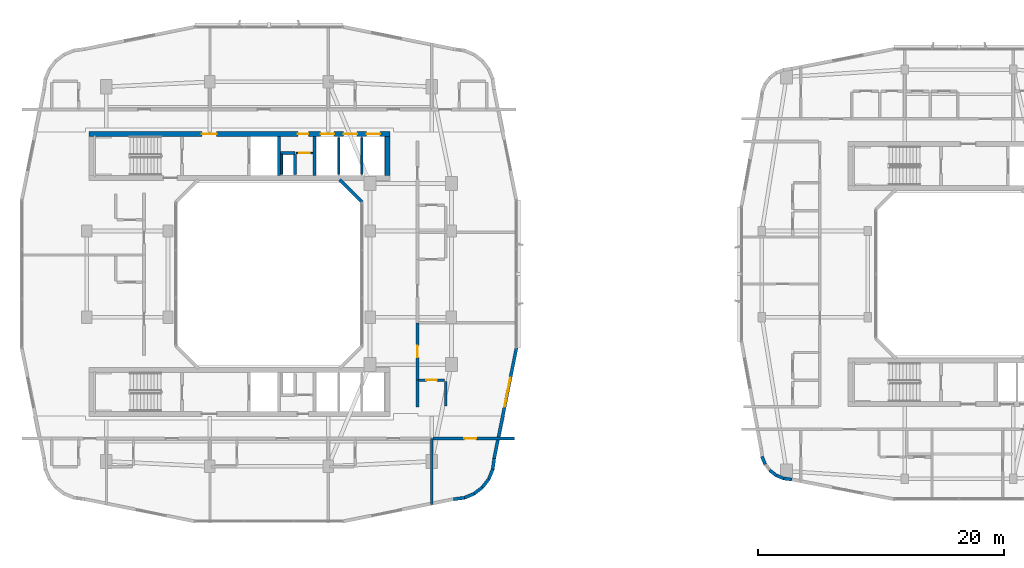
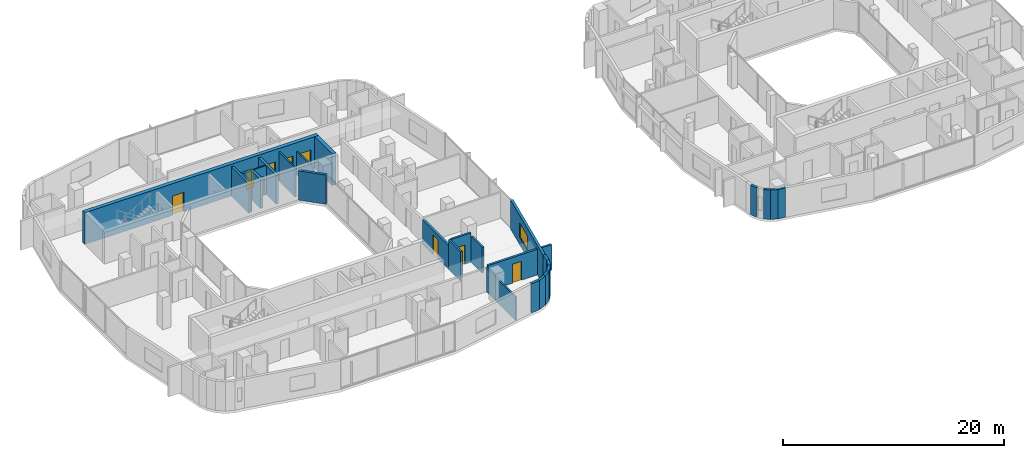
# One storey, part 14 of 26: 28 walls, 9 doors, 1 window, 10 openings.
"""IFC4 building model written with IfcOpenShell, lengths in metres."""

from ifc_helpers import new_model, si_unit, derived_unit, direction, frame, frame_2d, origin, place, context, subcontext, project, spatial, rectangle, extrude, material, layer, layer_set, type_object, element, fill, save


model = new_model("IFC4")

# Units and contexts
model_context = context("Model", 3, precision=1e-05, world=origin(), true_north=direction((0.0, 1.0)))
body_context = subcontext(model_context, "Body", "Model", "MODEL_VIEW")
ifc_project = project(units=[si_unit("LENGTHUNIT", "METRE"), si_unit("AREAUNIT", "SQUARE_METRE"), si_unit("VOLUMEUNIT", "CUBIC_METRE"), si_unit("PLANEANGLEUNIT", "RADIAN"), si_unit("MASSUNIT", "GRAM", prefix="KILO"), derived_unit("THERMALTRANSMITTANCEUNIT", [(si_unit("POWERUNIT", "WATT"), 1), (si_unit("LENGTHUNIT", "METRE"), -2), (si_unit("THERMODYNAMICTEMPERATUREUNIT", "KELVIN"), -1)])], contexts=[model_context])

# Site, building, storey
site_placement = place(None, origin())
site = spatial("IfcSite", under=ifc_project, at=site_placement, CompositionType="ELEMENT")
building_placement = place(site_placement, origin())
building = spatial("IfcBuilding", under=site, at=building_placement, Name="Kivonza Crest Hotel", CompositionType="ELEMENT")
storey_placement = place(building_placement, frame((0.0, 0.0, 105.5)))
storey = spatial("IfcBuildingStorey", under=building, at=storey_placement, Name="L28", CompositionType="ELEMENT", Elevation=105.5)

# Wall
ifc_material_1 = material(Name="High-density acoustic masonry inter-tenancy wall", Category="masonry")
ifc_layer_1 = layer(ifc_material_1, 0.179931640625)
ifc_layer_set_1 = layer_set([ifc_layer_1], Name="High-density acoustic masonry inter-tenancy wall")
wall_type_1 = type_object("IfcWallType", Name="WL-ACOU-180", PredefinedType="SOLIDWALL", material=ifc_layer_set_1)
wall_1_placement = place(storey_placement, frame((34.199951171875, 6.299072265625, 0.0), z_axis=(0.0, 0.0, 1.0), x_axis=(0.0, 1.0, 0.0)))
element("IfcWall", 1, at=wall_1_placement, inside=storey, type_object=wall_type_1, Name="L28 interior partition WA-L28-T1S-DIV4", PredefinedType="SOLIDWALL", context=body_context, shape_type="SweptSolid", body=[
    extrude(rectangle(XDim=5.350830078125, YDim=0.179931640625, at=frame_2d((2.67529296875, 0.0))), origin(), (0.0, 0.0, 1.0), 2.594970703125),
])

# Wall, opening, door
ifc_material_2 = material(Name="Autoclaved aerated concrete blockwork", Category="masonry")
ifc_layer_2 = layer(ifc_material_2, 0.219970703125)
ifc_layer_set_2 = layer_set([ifc_layer_2], Name="Autoclaved aerated concrete blockwork")
wall_type_2 = type_object("IfcWallType", Name="WL-ACOU-220", PredefinedType="SOLIDWALL", material=ifc_layer_set_2)
wall_2_placement = place(storey_placement, frame((34.300048828125, 11.64990234375, 0.0), z_axis=(0.0, 0.0, 1.0), x_axis=(1.0, 0.0, 0.0)))
wall_2 = element("IfcWall", 2, at=wall_2_placement, inside=storey, type_object=wall_type_2, Name="L28 interior partition WA-L28-BUS-MTG-N", PredefinedType="SOLIDWALL", context=body_context, shape_type="SweptSolid", body=[
    extrude(rectangle(XDim=6.639892578125, YDim=0.219970703125, at=frame_2d((3.31982421875, 0.0))), origin(), (0.0, 0.0, 1.0), 2.8349609375),
])
opening_1_placement = place(wall_2_placement, frame((2.550048828125, 0.0, 0.0)))
opening_1 = element("IfcOpeningElement", 3, at=opening_1_placement, cuts=wall_2, Name="Opening DF-60S", PredefinedType="OPENING", context=body_context, shape_type="SweptSolid", body=[
    extrude(rectangle(XDim=0.949951171875, YDim=2.10009765625, at=frame_2d((0.47509765625, 1.050048828125))), frame((0.0, 0.1201171875, 0.0), z_axis=(0.0, -1.0, 0.0), x_axis=(1.0, 0.0, 0.0)), (0.0, 0.0, 1.0), 0.239990234375),
])
ifc_material_3 = material(Name="Hardwood timber oak", Category="wood")
door_type_1 = type_object("IfcDoorType", Name="DR-FD60-950", OperationType="NOTDEFINED", PredefinedType="DOOR", material=ifc_material_3)
door_1_placement = place(opening_1_placement, frame((0.949951171875, 0.0, 0.0), z_axis=(0.0, 0.0, 1.0), x_axis=(-1.0, 0.0, 0.0)))
door_1 = element("IfcDoor", 4, at=door_1_placement, inside=storey, type_object=door_type_1, Name="L28 Floor Beverage Kitchen door", OperationType="SINGLE_SWING_RIGHT", OverallHeight=2.10009765625, OverallWidth=0.949951171875, PredefinedType="DOOR", context=body_context, shape_type="SweptSolid", body=[
    extrude(rectangle(XDim=0.949951171875, YDim=2.10009765625, at=frame_2d((0.47509765625, 1.050048828125))), frame((0.0, 0.02490234375, 0.0), z_axis=(0.0, -1.0, 0.0), x_axis=(1.0, 0.0, 0.0)), (0.0, 0.0, 1.0), 0.050048828125),
])
fill(opening_1, door_1)

# Wall
wall_3_placement = place(storey_placement, frame((33.050048828125, 14.199951171875, 0.0), z_axis=(0.0, 0.0, 1.0), x_axis=(0.0, 1.0, 0.0)))
element("IfcWall", 5, at=wall_3_placement, inside=storey, type_object=wall_type_2, Name="L28 interior partition WA-L28-E10-BCORR", PredefinedType="SOLIDWALL", context=body_context, shape_type="SweptSolid", body=[
    extrude(rectangle(XDim=2.199951171875, YDim=0.219970703125, at=frame_2d((1.10009765625, 0.0))), origin(), (0.0, 0.0, 1.0), 3.219970703125),
])

# Wall, opening, door
wall_4_placement = place(storey_placement, frame((33.050048828125, 16.39990234375, 0.0), z_axis=(0.0, 0.0, 1.0), x_axis=(0.0, 1.0, 0.0)))
wall_4 = element("IfcWall", 6, at=wall_4_placement, inside=storey, type_object=wall_type_2, Name="L28 interior partition WA-L28-E10-MCORR", PredefinedType="SOLIDWALL", context=body_context, shape_type="SweptSolid", body=[
    extrude(rectangle(XDim=4.649169921875, YDim=0.219970703125, at=frame_2d((2.32470703125, 0.0))), origin(), (0.0, 0.0, 1.0), 2.594970703125),
])
opening_2_placement = place(wall_4_placement, frame((1.85009765625, 0.0, 0.0)))
opening_2 = element("IfcOpeningElement", 7, at=opening_2_placement, cuts=wall_4, Name="Opening DU-60", PredefinedType="OPENING", context=body_context, shape_type="SweptSolid", body=[
    extrude(rectangle(XDim=0.949951171875, YDim=2.10009765625, at=frame_2d((0.47509765625, 1.050048828125))), frame((0.0, 0.1201171875, 0.0), z_axis=(0.0, -1.0, 0.0), x_axis=(1.0, 0.0, 0.0)), (0.0, 0.0, 1.0), 0.239990234375),
])
door_type_2 = type_object("IfcDoorType", Name="DR-UNIT-950", OperationType="NOTDEFINED", PredefinedType="DOOR", material=ifc_material_3)
door_2_placement = place(opening_2_placement, frame((0.949951171875, 0.0, 0.0), z_axis=(0.0, 0.0, 1.0), x_axis=(-1.0, 0.0, 0.0)))
door_2 = element("IfcDoor", 8, at=door_2_placement, inside=storey, type_object=door_type_2, Name="L28 E10 guest unit entrance fire door", OperationType="SINGLE_SWING_RIGHT", OverallHeight=2.10009765625, OverallWidth=0.949951171875, PredefinedType="DOOR", context=body_context, shape_type="SweptSolid", body=[
    extrude(rectangle(XDim=0.949951171875, YDim=2.10009765625, at=frame_2d((0.47509765625, 1.050048828125))), frame((0.0, 0.02490234375, 0.0), z_axis=(0.0, -1.0, 0.0), x_axis=(1.0, 0.0, 0.0)), (0.0, 0.0, 1.0), 0.050048828125),
])
fill(opening_2, door_2)

# Wall, openings, doors
ifc_material_4 = material(Name="Concrete C50/60", Category="concrete")
ifc_layer_3 = layer(ifc_material_4, 0.39990234375)
ifc_layer_set_3 = layer_set([ifc_layer_3], Name="Concrete C50/60")
wall_type_3 = type_object("IfcWallType", Name="WL-CORE-400", PredefinedType="SHEAR", material=ifc_layer_set_3)
wall_5_placement = place(storey_placement, frame((6.39990234375, 36.360107421875, 0.0), z_axis=(0.0, 0.0, 1.0), x_axis=(1.0, 0.0, 0.0)))
wall_5 = element("IfcWall", 9, at=wall_5_placement, inside=storey, type_object=wall_type_3, Name="Core wall T1-N North L28", PredefinedType="SHEAR", context=body_context, shape_type="SweptSolid", body=[
    extrude(rectangle(XDim=24.400146484375, YDim=0.39990234375, at=frame_2d((12.2001953125, 0.0))), origin(), (0.0, 0.0, 1.0), 3.5),
])
opening_3_placement = place(wall_5_placement, frame((9.14990234375, 0.0, 0.0)))
opening_3 = element("IfcOpeningElement", 10, at=opening_3_placement, cuts=wall_5, Name="Opening DF-60", PredefinedType="OPENING", context=body_context, shape_type="SweptSolid", body=[
    extrude(rectangle(XDim=1.199951171875, YDim=2.14990234375, at=frame_2d((0.60009765625, 1.074951171875))), frame((0.0, 0.2099609375, 0.0), z_axis=(0.0, -1.0, 0.0), x_axis=(1.0, 0.0, 0.0)), (0.0, 0.0, 1.0), 0.419921875),
])
opening_4_placement = place(wall_5_placement, frame((16.93994140625, 0.0, 0.0)))
opening_4 = element("IfcOpeningElement", 11, at=opening_4_placement, cuts=wall_5, Name="Opening DF-60R", PredefinedType="OPENING", context=body_context, shape_type="SweptSolid", body=[
    extrude(rectangle(XDim=0.85009765625, YDim=2.10009765625, at=frame_2d((0.425048828125, 1.050048828125))), frame((0.0, 0.2099609375, 0.0), z_axis=(0.0, -1.0, 0.0), x_axis=(1.0, 0.0, 0.0)), (0.0, 0.0, 1.0), 0.419921875),
])
opening_5_placement = place(wall_5_placement, frame((18.782958984375, 0.0, 0.0)))
opening_5 = element("IfcOpeningElement", 12, at=opening_5_placement, cuts=wall_5, Name="Opening LD-120", PredefinedType="OPENING", context=body_context, shape_type="SweptSolid", body=[
    extrude(rectangle(XDim=1.10009765625, YDim=2.14990234375, at=frame_2d((0.550048828125, 1.074951171875))), frame((0.0, 0.2099609375, 0.0), z_axis=(0.0, -1.0, 0.0), x_axis=(1.0, 0.0, 0.0)), (0.0, 0.0, 1.0), 0.419921875),
])
opening_6_placement = place(wall_5_placement, frame((20.64990234375, 0.0, 0.0)))
opening_6 = element("IfcOpeningElement", 13, at=opening_6_placement, cuts=wall_5, Name="Opening LD-120", PredefinedType="OPENING", context=body_context, shape_type="SweptSolid", body=[
    extrude(rectangle(XDim=1.10009765625, YDim=2.14990234375, at=frame_2d((0.550048828125, 1.074951171875))), frame((0.0, 0.2099609375, 0.0), z_axis=(0.0, -1.0, 0.0), x_axis=(1.0, 0.0, 0.0)), (0.0, 0.0, 1.0), 0.419921875),
])
opening_7_placement = place(wall_5_placement, frame((22.51708984375, 0.0, 0.0)))
opening_7 = element("IfcOpeningElement", 14, at=opening_7_placement, cuts=wall_5, Name="Opening LD-120", PredefinedType="OPENING", context=body_context, shape_type="SweptSolid", body=[
    extrude(rectangle(XDim=1.10009765625, YDim=2.14990234375, at=frame_2d((0.550048828125, 1.074951171875))), frame((0.0, 0.2099609375, 0.0), z_axis=(0.0, -1.0, 0.0), x_axis=(1.0, 0.0, 0.0)), (0.0, 0.0, 1.0), 0.419921875),
])
door_type_3 = type_object("IfcDoorType", Name="DR-FD60-1200", OperationType="NOTDEFINED", PredefinedType="DOOR", material=ifc_material_3)
door_3_placement = place(opening_3_placement, origin())
door_3 = element("IfcDoor", 15, at=door_3_placement, inside=storey, type_object=door_type_3, Name="L28 T1-N firefighting lobby fire door", OperationType="SINGLE_SWING_RIGHT", OverallHeight=2.14990234375, OverallWidth=1.199951171875, PredefinedType="DOOR", context=body_context, shape_type="SweptSolid", body=[
    extrude(rectangle(XDim=1.199951171875, YDim=2.14990234375, at=frame_2d((0.60009765625, 1.074951171875))), frame((0.0, 0.02490234375, 0.0), z_axis=(0.0, -1.0, 0.0), x_axis=(1.0, 0.0, 0.0)), (0.0, 0.0, 1.0), 0.050048828125),
])
fill(opening_3, door_3)
door_type_4 = type_object("IfcDoorType", Name="DR-FD60-850", OperationType="NOTDEFINED", PredefinedType="DOOR", material=ifc_material_3)
door_4_placement = place(opening_4_placement, origin())
door_4 = element("IfcDoor", 16, at=door_4_placement, inside=storey, type_object=door_type_4, Name="L28 T1-N core room door", OperationType="SINGLE_SWING_RIGHT", OverallHeight=2.10009765625, OverallWidth=0.85009765625, PredefinedType="DOOR", context=body_context, shape_type="SweptSolid", body=[
    extrude(rectangle(XDim=0.85009765625, YDim=2.10009765625, at=frame_2d((0.425048828125, 1.050048828125))), frame((0.0, 0.02490234375, 0.0), z_axis=(0.0, -1.0, 0.0), x_axis=(1.0, 0.0, 0.0)), (0.0, 0.0, 1.0), 0.050048828125),
])
fill(opening_4, door_4)
ifc_material_5 = material(Name="Stainless steel", Category="steel")
door_type_5 = type_object("IfcDoorType", Name="DR-LD120-1100", OperationType="NOTDEFINED", PredefinedType="DOOR", material=ifc_material_5)
door_5_placement = place(opening_5_placement, origin())
door_5 = element("IfcDoor", 17, at=door_5_placement, inside=storey, type_object=door_type_5, Name="L28 PL-T1-L1 passenger lift sliding landing door", OperationType="DOUBLE_DOOR_SLIDING", OverallHeight=2.14990234375, OverallWidth=1.10009765625, PredefinedType="DOOR", context=body_context, shape_type="SweptSolid", body=[
    extrude(rectangle(XDim=1.10009765625, YDim=2.14990234375, at=frame_2d((0.550048828125, 1.074951171875))), frame((0.0, 0.02490234375, 0.0), z_axis=(0.0, -1.0, 0.0), x_axis=(1.0, 0.0, 0.0)), (0.0, 0.0, 1.0), 0.050048828125),
])
fill(opening_5, door_5)
door_6_placement = place(opening_6_placement, origin())
door_6 = element("IfcDoor", 18, at=door_6_placement, inside=storey, type_object=door_type_5, Name="L28 PL-T1-L2 passenger lift sliding landing door", OperationType="DOUBLE_DOOR_SLIDING", OverallHeight=2.14990234375, OverallWidth=1.10009765625, PredefinedType="DOOR", context=body_context, shape_type="SweptSolid", body=[
    extrude(rectangle(XDim=1.10009765625, YDim=2.14990234375, at=frame_2d((0.550048828125, 1.074951171875))), frame((0.0, 0.02490234375, 0.0), z_axis=(0.0, -1.0, 0.0), x_axis=(1.0, 0.0, 0.0)), (0.0, 0.0, 1.0), 0.050048828125),
])
fill(opening_6, door_6)
door_7_placement = place(opening_7_placement, origin())
door_7 = element("IfcDoor", 19, at=door_7_placement, inside=storey, type_object=door_type_5, Name="L28 PL-T1-L3 passenger lift sliding landing door", OperationType="DOUBLE_DOOR_SLIDING", OverallHeight=2.14990234375, OverallWidth=1.10009765625, PredefinedType="DOOR", context=body_context, shape_type="SweptSolid", body=[
    extrude(rectangle(XDim=1.10009765625, YDim=2.14990234375, at=frame_2d((0.550048828125, 1.074951171875))), frame((0.0, 0.02490234375, 0.0), z_axis=(0.0, -1.0, 0.0), x_axis=(1.0, 0.0, 0.0)), (0.0, 0.0, 1.0), 0.050048828125),
])
fill(opening_7, door_7)

# Walls
wall_6_placement = place(storey_placement, frame((30.60009765625, 33.0, 0.0), z_axis=(0.0, 0.0, 1.0), x_axis=(0.0, 1.0, 0.0)))
element("IfcWall", 20, at=wall_6_placement, inside=storey, type_object=wall_type_3, Name="Core wall T1-N East L28", PredefinedType="SHEAR", context=body_context, shape_type="SweptSolid", body=[
    extrude(rectangle(XDim=3.159912109375, YDim=0.39990234375, at=frame_2d((1.580078125, 0.0))), origin(), (0.0, 0.0, 1.0), 3.5),
])
ifc_material_6 = material(Name="Precast concrete C40/50", Category="concrete")
ifc_layer_4 = layer(ifc_material_6, 0.260009765625)
ifc_layer_set_4 = layer_set([ifc_layer_4], Name="Precast concrete C40/50")
wall_type_4 = type_object("IfcWallType", Name="WL-EXT-260", PredefinedType="STANDARD", material=ifc_layer_set_4)
wall_7_placement = place(storey_placement, frame((35.97509765625, 6.72802734375, 0.0), z_axis=(0.0, 0.0, 1.0), x_axis=(0.991388484223, 0.130953706898, 0.0)))
element("IfcWall", 21, at=wall_7_placement, inside=storey, type_object=wall_type_4, Name="L28 T1 exterior insulated wall 10", PredefinedType="STANDARD", context=body_context, shape_type="SweptSolid", body=[
    extrude(rectangle(XDim=0.885498046875, YDim=0.260009765625, at=frame_2d((0.44287109375, 0.0))), origin(), (0.0, 0.0, 1.0), 3.219970703125),
])
wall_8_placement = place(storey_placement, frame((36.806884765625, 6.825927734375, 0.0), z_axis=(0.0, 0.0, 1.0), x_axis=(0.923627776508, 0.383290660547, 0.0)))
element("IfcWall", 22, at=wall_8_placement, inside=storey, type_object=wall_type_4, Name="L28 T1 exterior insulated wall 11", PredefinedType="STANDARD", context=body_context, shape_type="SweptSolid", body=[
    extrude(rectangle(XDim=0.9033203125, YDim=0.260009765625, at=frame_2d((0.45166015625, 0.0))), origin(), (0.0, 0.0, 1.0), 3.219970703125),
])
wall_9_placement = place(storey_placement, frame((37.60107421875, 7.14404296875, 0.0), z_axis=(0.0, 0.0, 1.0), x_axis=(0.793458244748, 0.608624690463, 0.0)))
element("IfcWall", 23, at=wall_9_placement, inside=storey, type_object=wall_type_4, Name="L28 T1 exterior insulated wall 12", PredefinedType="STANDARD", context=body_context, shape_type="SweptSolid", body=[
    extrude(rectangle(XDim=0.902099609375, YDim=0.260009765625, at=frame_2d((0.451171875, 0.0))), origin(), (0.0, 0.0, 1.0), 3.219970703125),
])
wall_10_placement = place(storey_placement, frame((38.285888671875, 7.655029296875, 0.0), z_axis=(0.0, 0.0, 1.0), x_axis=(0.608494022858, 0.793558456666, 0.0)))
element("IfcWall", 24, at=wall_10_placement, inside=storey, type_object=wall_type_4, Name="L28 T1 exterior insulated wall 13", PredefinedType="STANDARD", context=body_context, shape_type="SweptSolid", body=[
    extrude(rectangle(XDim=0.90234375, YDim=0.260009765625, at=frame_2d((0.451171875, 0.0))), origin(), (0.0, 0.0, 1.0), 3.219970703125),
])
wall_11_placement = place(storey_placement, frame((38.81396484375, 8.326904296875, 0.0), z_axis=(0.0, 0.0, 1.0), x_axis=(0.383155708213, 0.923683767999, 0.0)))
element("IfcWall", 25, at=wall_11_placement, inside=storey, type_object=wall_type_4, Name="L28 T1 exterior insulated wall 14", PredefinedType="STANDARD", context=body_context, shape_type="SweptSolid", body=[
    extrude(rectangle(XDim=0.90283203125, YDim=0.260009765625, at=frame_2d((0.451416015625, 0.0))), origin(), (0.0, 0.0, 1.0), 3.219970703125),
])
wall_12_placement = place(storey_placement, frame((39.152099609375, 9.112060546875, 0.0), z_axis=(0.0, 0.0, 1.0), x_axis=(0.130200706103, 0.991487658083, 0.0)))
element("IfcWall", 26, at=wall_12_placement, inside=storey, type_object=wall_type_4, Name="L28 T1 exterior insulated wall 15", PredefinedType="STANDARD", context=body_context, shape_type="SweptSolid", body=[
    extrude(rectangle(XDim=0.920654296875, YDim=0.260009765625, at=frame_2d((0.46044921875, 0.0))), origin(), (0.0, 0.0, 1.0), 3.219970703125),
])

# Wall, opening, window
wall_13_placement = place(storey_placement, frame((39.27099609375, 10.01806640625, 0.0), z_axis=(0.0, 0.0, 1.0), x_axis=(0.197435082048, 0.980315963543, 0.0)))
wall_13 = element("IfcWall", 27, at=wall_13_placement, inside=storey, type_object=wall_type_4, Name="L28 T1 exterior insulated wall 16", PredefinedType="STANDARD", context=body_context, shape_type="SweptSolid", body=[
    extrude(rectangle(XDim=9.1826171875, YDim=0.260009765625, at=frame_2d((4.59130859375, 0.0))), origin(), (0.0, 0.0, 1.0), 3.219970703125),
])
opening_8_placement = place(wall_13_placement, frame((4.285888671875, 0.0, 0.800048828125)))
opening_8 = element("IfcOpeningElement", 28, at=opening_8_placement, cuts=wall_13, Name="Opening WN-05", PredefinedType="OPENING", context=body_context, shape_type="SweptSolid", body=[
    extrude(rectangle(XDim=2.39990234375, YDim=1.60009765625, at=frame_2d((1.199951171875, 0.800048828125))), frame((0.0, 0.14013671875, 0.0), z_axis=(0.0, -1.0, 0.0), x_axis=(1.0, 0.0, 0.0)), (0.0, 0.0, 1.0), 0.280029296875),
])
ifc_material_7 = material(Name="Thermally broken bronze aluminium and low-E double glazing", Category="aluminium")
window_type = type_object("IfcWindowType", Name="WN-240x160", PartitioningType="TRIPLE_PANEL_VERTICAL", PredefinedType="WINDOW", material=ifc_material_7)
window_placement = place(opening_8_placement, origin())
window = element("IfcWindow", 29, at=window_placement, inside=storey, type_object=window_type, Name="L28 T1 facade window 16", OverallHeight=1.60009765625, OverallWidth=2.39990234375, PartitioningType="SINGLE_PANEL", PredefinedType="WINDOW", context=body_context, shape_type="SweptSolid", body=[
    extrude(rectangle(XDim=2.39990234375, YDim=1.60009765625, at=frame_2d((1.199951171875, 0.800048828125))), frame((0.0, 0.030029296875, 0.0), z_axis=(0.0, -1.0, 0.0), x_axis=(1.0, 0.0, 0.0)), (0.0, 0.0, 1.0), 0.06005859375),
])
fill(opening_8, window)

# Walls
wall_14_placement = place(storey_placement, frame((28.555908203125, 30.827880859375, 0.0), z_axis=(0.0, 0.0, 1.0), x_axis=(-0.707059717605, 0.707153841636, 0.0)))
element("IfcWall", 30, at=wall_14_placement, inside=storey, type_object=wall_type_4, Name="L28 T1 light-well exterior wall 4", PredefinedType="STANDARD", context=body_context, shape_type="SweptSolid", body=[
    extrude(rectangle(XDim=2.59375, YDim=0.260009765625, at=frame_2d((1.296875, 0.0))), origin(), (0.0, 0.0, 1.0), 3.219970703125),
])
wall_15_placement = place(storey_placement, frame((60.9990234375, 10.199951171875, 0.0), z_axis=(0.0, 0.0, 1.0), x_axis=(0.381988976935, -0.924166879681, 0.0)))
element("IfcWall", 31, at=wall_15_placement, inside=storey, type_object=wall_type_4, Name="L28 T2 exterior insulated wall 2", PredefinedType="STANDARD", context=body_context, shape_type="SweptSolid", body=[
    extrude(rectangle(XDim=0.693359375, YDim=0.260009765625, at=frame_2d((0.3466796875, 0.0))), origin(), (0.0, 0.0, 1.0), 3.25),
])
wall_16_placement = place(storey_placement, frame((61.62109375, 9.080078125, 0.0), z_axis=(0.0, 0.0, 1.0), x_axis=(0.792506234191, -0.609863811657, 0.0)))
element("IfcWall", 32, at=wall_16_placement, inside=storey, type_object=wall_type_4, Name="L28 T2 exterior insulated wall 4", PredefinedType="STANDARD", context=body_context, shape_type="SweptSolid", body=[
    extrude(rectangle(XDim=0.69384765625, YDim=0.260009765625, at=frame_2d((0.346923828125, 0.0))), origin(), (0.0, 0.0, 1.0), 3.25),
])
wall_17_placement = place(storey_placement, frame((62.126953125, 8.677978515625, 0.0), z_axis=(0.0, 0.0, 1.0), x_axis=(0.92421822618, -0.381864727877, 0.0)))
element("IfcWall", 33, at=wall_17_placement, inside=storey, type_object=wall_type_4, Name="L28 T2 exterior insulated wall 5", PredefinedType="STANDARD", context=body_context, shape_type="SweptSolid", body=[
    extrude(rectangle(XDim=0.693603515625, YDim=0.260009765625, at=frame_2d((0.3466796875, 0.0))), origin(), (0.0, 0.0, 1.0), 3.25),
])
wall_18_placement = place(storey_placement, frame((62.718994140625, 8.4208984375, 0.0), z_axis=(0.0, 0.0, 1.0), x_axis=(0.991433279471, -0.130614135366, 0.0)))
element("IfcWall", 34, at=wall_18_placement, inside=storey, type_object=wall_type_4, Name="L28 T2 exterior insulated wall 6", PredefinedType="STANDARD", context=body_context, shape_type="SweptSolid", body=[
    extrude(rectangle(XDim=0.712158203125, YDim=0.260009765625, at=frame_2d((0.35595703125, 0.0))), origin(), (0.0, 0.0, 1.0), 3.25),
])
ifc_material_8 = material(Name="Concrete blockwork fire-compartment wall", Category="masonry")
ifc_layer_5 = layer(ifc_material_8, 0.25)
ifc_layer_set_5 = layer_set([ifc_layer_5], Name="Concrete blockwork fire-compartment wall")
wall_type_5 = type_object("IfcWallType", Name="WL-FIRE-250", PredefinedType="SOLIDWALL", material=ifc_layer_set_5)
wall_19_placement = place(storey_placement, frame((23.10009765625, 33.10009765625, 0.0), z_axis=(0.0, 0.0, 1.0), x_axis=(0.0, 1.0, 0.0)))
element("IfcWall", 35, at=wall_19_placement, inside=storey, type_object=wall_type_5, Name="L28 interior partition WA-L28-T1-N-MEPR-E", PredefinedType="SOLIDWALL", context=body_context, shape_type="SweptSolid", body=[
    extrude(rectangle(XDim=1.619873046875, YDim=0.25, at=frame_2d((0.81005859375, 0.0))), origin(), (0.0, 0.0, 1.0), 3.219970703125),
])
wall_20_placement = place(storey_placement, frame((21.949951171875, 34.820068359375, 0.0), z_axis=(0.0, 0.0, 1.0), x_axis=(1.0, 0.0, 0.0)))
element("IfcWall", 36, at=wall_20_placement, inside=storey, type_object=wall_type_5, Name="L28 interior partition WA-L28-T1-N-MEPR-H", PredefinedType="SOLIDWALL", context=body_context, shape_type="SweptSolid", body=[
    extrude(rectangle(XDim=1.150146484375, YDim=0.25, at=frame_2d((0.5751953125, 0.0))), origin(), (0.0, 0.0, 1.0), 3.219970703125),
])

# Wall, opening, door
ifc_material_9 = material(Name="Metal-stud gypsum board partition", Category="gypsum")
ifc_layer_6 = layer(ifc_material_9, 0.125)
ifc_layer_set_6 = layer_set([ifc_layer_6], Name="Metal-stud gypsum board partition")
wall_type_6 = type_object("IfcWallType", Name="WL-PART-125", PredefinedType="PARTITIONING", material=ifc_layer_set_6)
wall_21_placement = place(storey_placement, frame((23.219970703125, 34.820068359375, 0.0), z_axis=(0.0, 0.0, 1.0), x_axis=(1.0, 0.0, 0.0)))
wall_21 = element("IfcWall", 37, at=wall_21_placement, inside=storey, type_object=wall_type_6, Name="L28 interior partition WP-L28-T1-N-SV3H", PredefinedType="PARTITIONING", context=body_context, shape_type="SweptSolid", body=[
    extrude(rectangle(XDim=1.330078125, YDim=0.125, at=frame_2d((0.6650390625, 0.0))), origin(), (0.0, 0.0, 1.0), 3.219970703125),
])
opening_9_placement = place(wall_21_placement, frame((0.239990234375, 0.0, 0.0)))
opening_9 = element("IfcOpeningElement", 38, at=opening_9_placement, cuts=wall_21, Name="Opening DI-85", PredefinedType="OPENING", context=body_context, shape_type="SweptSolid", body=[
    extrude(rectangle(XDim=0.85009765625, YDim=2.10009765625, at=frame_2d((0.425048828125, 1.050048828125))), frame((0.0, 0.072509765625, 0.0), z_axis=(0.0, -1.0, 0.0), x_axis=(1.0, 0.0, 0.0)), (0.0, 0.0, 1.0), 0.14501953125),
])
door_type_6 = type_object("IfcDoorType", Name="DR-INT-850", OperationType="NOTDEFINED", PredefinedType="DOOR", material=ifc_material_3)
door_8_placement = place(opening_9_placement, origin())
door_8 = element("IfcDoor", 39, at=door_8_placement, inside=storey, type_object=door_type_6, Name="L28 T1-N inner manifold door", OperationType="SINGLE_SWING_LEFT", OverallHeight=2.10009765625, OverallWidth=0.85009765625, PredefinedType="DOOR", context=body_context, shape_type="SweptSolid", body=[
    extrude(rectangle(XDim=0.85009765625, YDim=2.10009765625, at=frame_2d((0.425048828125, 1.050048828125))), frame((0.0, 0.02490234375, 0.0), z_axis=(0.0, -1.0, 0.0), x_axis=(1.0, 0.0, 0.0)), (0.0, 0.0, 1.0), 0.050048828125),
])
fill(opening_9, door_8)

# Walls
ifc_material_10 = material(Name="Twin-stud acoustic gypsum board partition", Category="gypsum")
ifc_layer_7 = layer(ifc_material_10, 0.14990234375)
ifc_layer_set_7 = layer_set([ifc_layer_7], Name="Twin-stud acoustic gypsum board partition")
wall_type_7 = type_object("IfcWallType", Name="WL-PART-150", PredefinedType="PARTITIONING", material=ifc_layer_set_7)
wall_22_placement = place(storey_placement, frame((22.030029296875, 33.10009765625, 0.0), z_axis=(0.0, 0.0, 1.0), x_axis=(0.0, 1.0, 0.0)))
element("IfcWall", 40, at=wall_22_placement, inside=storey, type_object=wall_type_7, Name="L28 interior partition WA-L28-T1-N-MEPR-W", PredefinedType="PARTITIONING", context=body_context, shape_type="SweptSolid", body=[
    extrude(rectangle(XDim=1.619873046875, YDim=0.14990234375, at=frame_2d((0.81005859375, 0.0))), origin(), (0.0, 0.0, 1.0), 3.219970703125),
])
wall_23_placement = place(storey_placement, frame((26.6669921875, 33.10009765625, 0.0), z_axis=(0.0, 0.0, 1.0), x_axis=(0.0, 1.0, 0.0)))
element("IfcWall", 41, at=wall_23_placement, inside=storey, type_object=wall_type_7, Name="L28 interior partition WP-L28-T1-N-BSH-1", PredefinedType="PARTITIONING", context=body_context, shape_type="SweptSolid", body=[
    extrude(rectangle(XDim=2.9599609375, YDim=0.14990234375, at=frame_2d((1.47998046875, 0.0))), origin(), (0.0, 0.0, 1.0), 3.219970703125),
])
wall_24_placement = place(storey_placement, frame((28.532958984375, 33.10009765625, 0.0), z_axis=(0.0, 0.0, 1.0), x_axis=(0.0, 1.0, 0.0)))
element("IfcWall", 42, at=wall_24_placement, inside=storey, type_object=wall_type_7, Name="L28 interior partition WP-L28-T1-N-BSH-2", PredefinedType="PARTITIONING", context=body_context, shape_type="SweptSolid", body=[
    extrude(rectangle(XDim=2.9599609375, YDim=0.14990234375, at=frame_2d((1.47998046875, 0.0))), origin(), (0.0, 0.0, 1.0), 2.594970703125),
])

# Wall, opening, door
ifc_material_11 = material(Name="Moisture-resistant plumbing chase partition wall", Category="gypsum")
ifc_layer_8 = layer(ifc_material_11, 0.199951171875)
ifc_layer_set_8 = layer_set([ifc_layer_8], Name="Moisture-resistant plumbing chase partition wall")
wall_type_8 = type_object("IfcWallType", Name="WL-PLUMB-200", PredefinedType="PLUMBINGWALL", material=ifc_layer_set_8)
wall_25_placement = place(storey_placement, frame((33.14990234375, 16.39990234375, 0.0), z_axis=(0.0, 0.0, 1.0), x_axis=(1.0, 0.0, 0.0)))
wall_25 = element("IfcWall", 43, at=wall_25_placement, inside=storey, type_object=wall_type_8, Name="L28 interior partition WW-L28-E10-BH", PredefinedType="PLUMBINGWALL", context=body_context, shape_type="SweptSolid", body=[
    extrude(rectangle(XDim=2.10009765625, YDim=0.199951171875, at=frame_2d((1.050048828125, 0.0))), origin(), (0.0, 0.0, 1.0), 3.219970703125),
])
opening_10_placement = place(wall_25_placement, frame((0.625, 0.0, 0.0)))
opening_10 = element("IfcOpeningElement", 44, at=opening_10_placement, cuts=wall_25, Name="Opening DI-85", PredefinedType="OPENING", context=body_context, shape_type="SweptSolid", body=[
    extrude(rectangle(XDim=0.85009765625, YDim=2.10009765625, at=frame_2d((0.425048828125, 1.050048828125))), frame((0.0, 0.10986328125, 0.0), z_axis=(0.0, -1.0, 0.0), x_axis=(1.0, 0.0, 0.0)), (0.0, 0.0, 1.0), 0.219970703125),
])
door_9_placement = place(opening_10_placement, origin())
door_9 = element("IfcDoor", 45, at=door_9_placement, inside=storey, type_object=door_type_6, Name="L28 E10 en-suite bathroom door", OperationType="SINGLE_SWING_LEFT", OverallHeight=2.10009765625, OverallWidth=0.85009765625, PredefinedType="DOOR", context=body_context, shape_type="SweptSolid", body=[
    extrude(rectangle(XDim=0.85009765625, YDim=2.10009765625, at=frame_2d((0.425048828125, 1.050048828125))), frame((0.0, 0.02490234375, 0.0), z_axis=(0.0, -1.0, 0.0), x_axis=(1.0, 0.0, 0.0)), (0.0, 0.0, 1.0), 0.050048828125),
])
fill(opening_10, door_9)

# Walls
wall_26_placement = place(storey_placement, frame((35.35009765625, 14.300048828125, 0.0), z_axis=(0.0, 0.0, 1.0), x_axis=(0.0, 1.0, 0.0)))
element("IfcWall", 46, at=wall_26_placement, inside=storey, type_object=wall_type_8, Name="L28 interior partition WW-L28-E10-BV", PredefinedType="PLUMBINGWALL", context=body_context, shape_type="SweptSolid", body=[
    extrude(rectangle(XDim=2.0, YDim=0.199951171875, at=frame_2d((1.0, 0.0))), origin(), (0.0, 0.0, 1.0), 2.8349609375),
])
ifc_layer_9 = layer(ifc_material_4, 0.25)
ifc_layer_set_9 = layer_set([ifc_layer_9], Name="Concrete C50/60")
wall_type_9 = type_object("IfcWallType", Name="WL-SHAFT-250", PredefinedType="STANDARD", material=ifc_layer_set_9)
for number, where, z_axis, x_axis, name in (
    (47, (21.824951171875, 33.0, 0.0), (0.0, 0.0, 1.0), (0.0, 1.0, 0.0), "Core shaft wall T1-N FFL-E L28"),
    (48, (24.675048828125, 33.0, 0.0), (0.0, 0.0, 1.0), (0.0, 1.0, 0.0), "Core shaft wall T1-N BANK-W L28"),
):
    element("IfcWall", number, at=place(storey_placement, frame(where, z_axis=z_axis, x_axis=x_axis)), inside=storey, type_object=wall_type_9, Name=name, PredefinedType="STANDARD", context=body_context, shape_type="SweptSolid", body=[
        extrude(rectangle(XDim=3.159912109375, YDim=0.25, at=frame_2d((1.580078125, 0.0))), origin(), (0.0, 0.0, 1.0), 3.219970703125),
    ])

save(model, "model.ifc")
